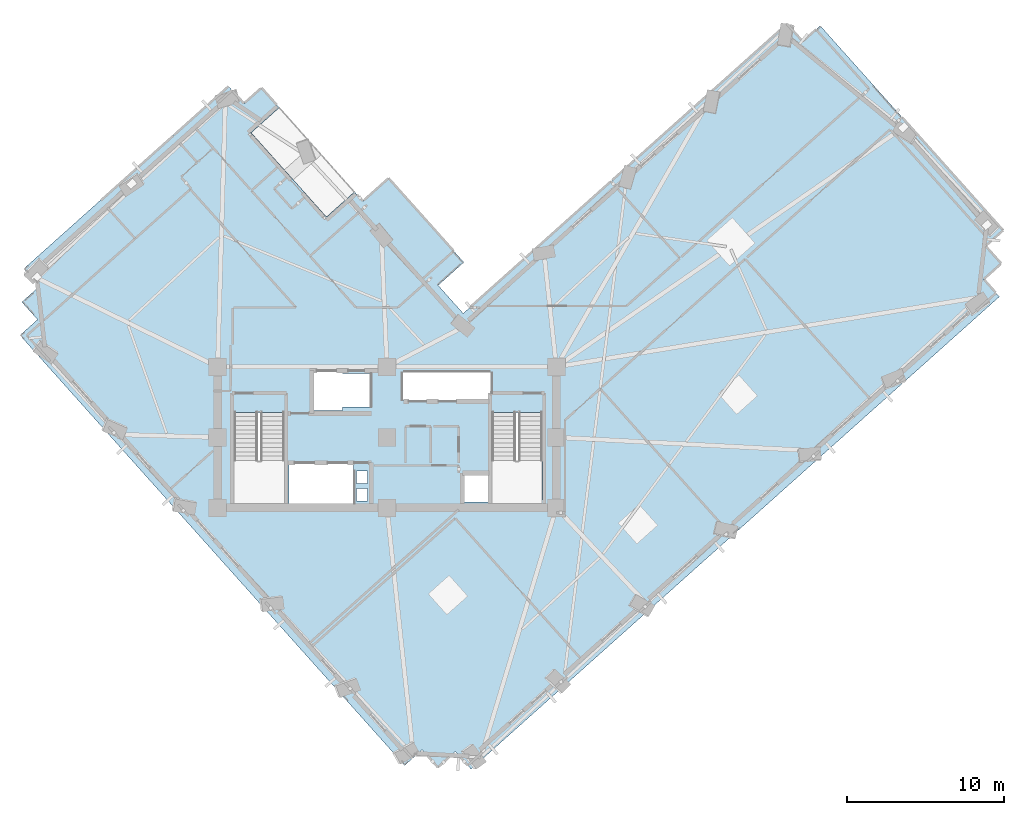
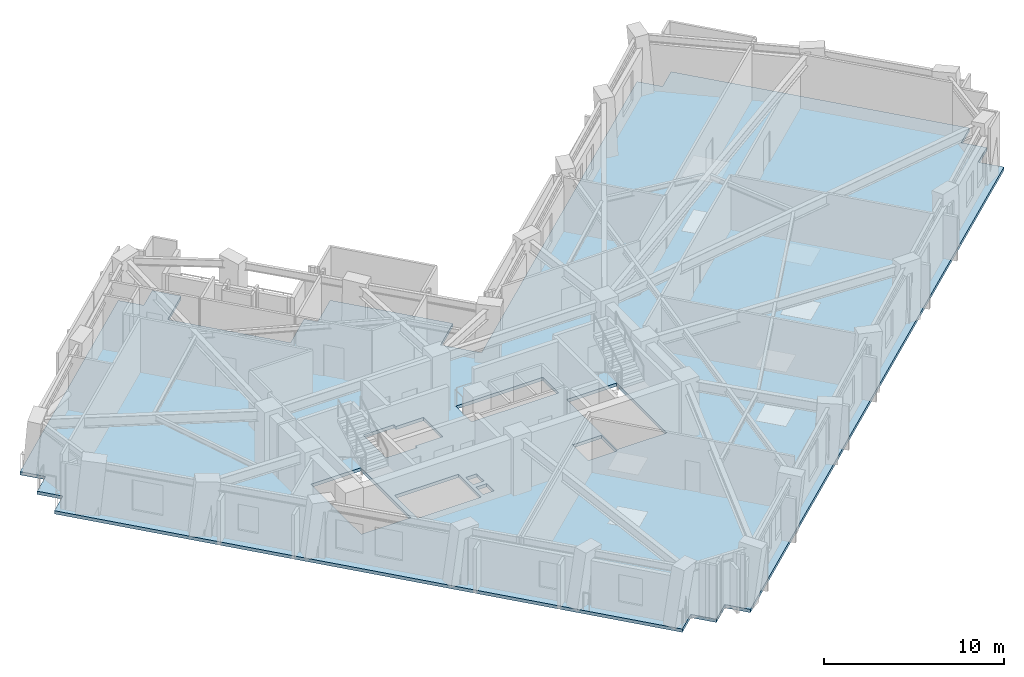
# One storey, part 3 of 14: 1 slab.
"""IFC4 building model written with IfcOpenShell, lengths in metres."""

from ifc_helpers import new_model, si_unit, direction, frame, origin, place, context, subcontext, project, spatial, polyline, outline, extrude, material, layer, layer_set, type_object, element, save


model = new_model("IFC4")

# Units and contexts
model_context = context("Model", 3, precision=1e-05, world=origin(), true_north=direction((0.0, 1.0)))
body_context = subcontext(model_context, "Body", "Model", "MODEL_VIEW")
ifc_project = project(units=[si_unit("LENGTHUNIT", "METRE"), si_unit("AREAUNIT", "SQUARE_METRE"), si_unit("VOLUMEUNIT", "CUBIC_METRE"), si_unit("PLANEANGLEUNIT", "RADIAN"), si_unit("MASSUNIT", "GRAM", prefix="KILO")], contexts=[model_context])

# Site, building, storey
site_placement = place(None, origin())
site = spatial("IfcSite", under=ifc_project, at=site_placement, CompositionType="ELEMENT")
building_placement = place(site_placement, origin())
building = spatial("IfcBuilding", under=site, at=building_placement, Name="Gaonmaruhae Medical Tower", CompositionType="ELEMENT")
storey_placement = place(building_placement, frame((0.0, 0.0, 201.800048828125)))
storey = spatial("IfcBuildingStorey", under=building, at=storey_placement, Name="L48", CompositionType="ELEMENT", Elevation=201.800048828125)

# Slab
ifc_material = material(Name="Concrete C40/50", Category="concrete")
ifc_layer = layer(ifc_material, 0.219970703125)
ifc_layer_set = layer_set([ifc_layer], Name="Concrete C40/50")
slab_type = type_object("IfcSlabType", Name="FS-220 Clinical Ward Composite Floor Slab", PredefinedType="FLOOR", material=ifc_layer_set)
slab_placement = place(storey_placement, frame((0.0, 0.0, -0.219970703125)))
element("IfcSlab", 1, at=slab_placement, inside=storey, type_object=slab_type, Name="L48 Structural Slab 1", PredefinedType="FLOOR", context=body_context, shape_type="SweptSolid", body=[
    extrude(outline(polyline([(50.31005859375, 38.66748046875), (51.309814453125, 37.54931640625), (52.427978515625, 38.549072265625), (64.09228515625, 25.503173828125), (62.97412109375, 24.50341796875), (63.97412109375, 23.385009765625), (62.855712890625, 22.38525390625), (63.855712890625, 21.26708984375), (30.159912109375, -8.860107421875), (29.16015625, -7.741943359375), (28.0419921875, -8.74169921875), (27.042236328125, -7.62353515625), (25.924072265625, -8.623291015625), (1.3955078125, 18.810302734375), (2.513916015625, 19.81005859375), (1.513916015625, 20.92822265625), (2.632080078125, 21.927978515625), (1.632568359375, 23.046142578125), (14.67822265625, 34.71044921875), (15.677978515625, 33.59228515625), (16.79638671875, 34.592041015625), (17.929443359375, 33.32470703125), (16.140380859375, 31.72509765625), (20.939208984375, 26.357666015625), (22.728515625, 27.95751953125), (23.26171875, 27.361083984375), (24.901611328125, 28.827392578125), (29.70068359375, 23.4599609375), (28.060791015625, 21.99365234375), (29.660400390625, 20.204345703125), (50.31005859375, 38.66748046875)]), holes=[polyline([(23.550048828125, 8.25), (22.85009765625, 8.25), (22.85009765625, 9.050048828125), (23.550048828125, 9.050048828125), (23.550048828125, 8.25)]), polyline([(31.425048828125, 9.925048828125), (31.425048828125, 8.175048828125), (29.574951171875, 8.175048828125), (29.574951171875, 9.925048828125), (31.425048828125, 9.925048828125)]), polyline([(22.64990234375, 10.625), (22.64990234375, 8.074951171875), (18.550048828125, 8.074951171875), (18.550048828125, 10.625), (22.64990234375, 10.625)]), polyline([(23.550048828125, 9.35009765625), (22.85009765625, 9.35009765625), (22.85009765625, 10.14990234375), (23.550048828125, 10.14990234375), (23.550048828125, 9.35009765625)]), polyline([(15.050048828125, 13.889892578125), (18.25, 13.889892578125), (18.25, 8.300048828125), (15.050048828125, 8.300048828125), (15.050048828125, 13.889892578125)]), polyline([(31.5, 13.889892578125), (34.699951171875, 13.889892578125), (34.699951171875, 8.300048828125), (31.5, 8.300048828125), (31.5, 13.889892578125)]), polyline([(21.949951171875, 14.22509765625), (21.949951171875, 14.02490234375), (19.949951171875, 14.02490234375), (19.949951171875, 16.574951171875), (21.949951171875, 16.574951171875), (21.949951171875, 16.375), (23.72509765625, 16.375), (23.72509765625, 14.22509765625), (21.949951171875, 14.22509765625)]), polyline([(31.425048828125, 16.425048828125), (31.425048828125, 14.675048828125), (25.824951171875, 14.675048828125), (25.824951171875, 16.425048828125), (31.425048828125, 16.425048828125)])]), origin(), (0.0, 0.0, 1.0), 0.219970703125),
])

save(model, "model.ifc")
